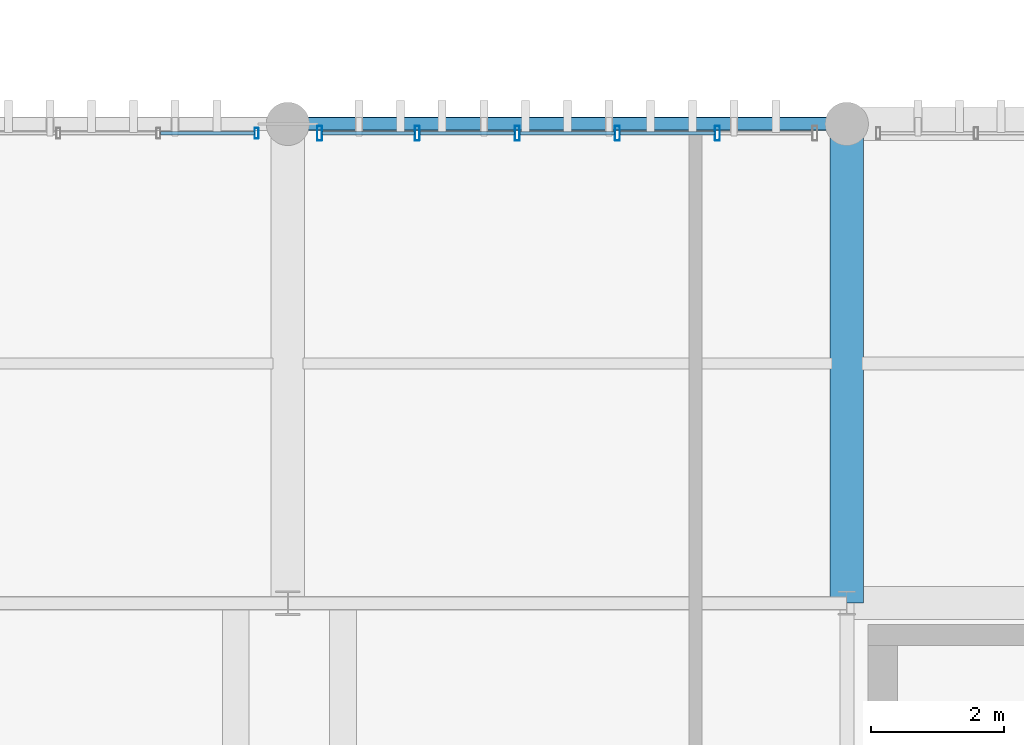
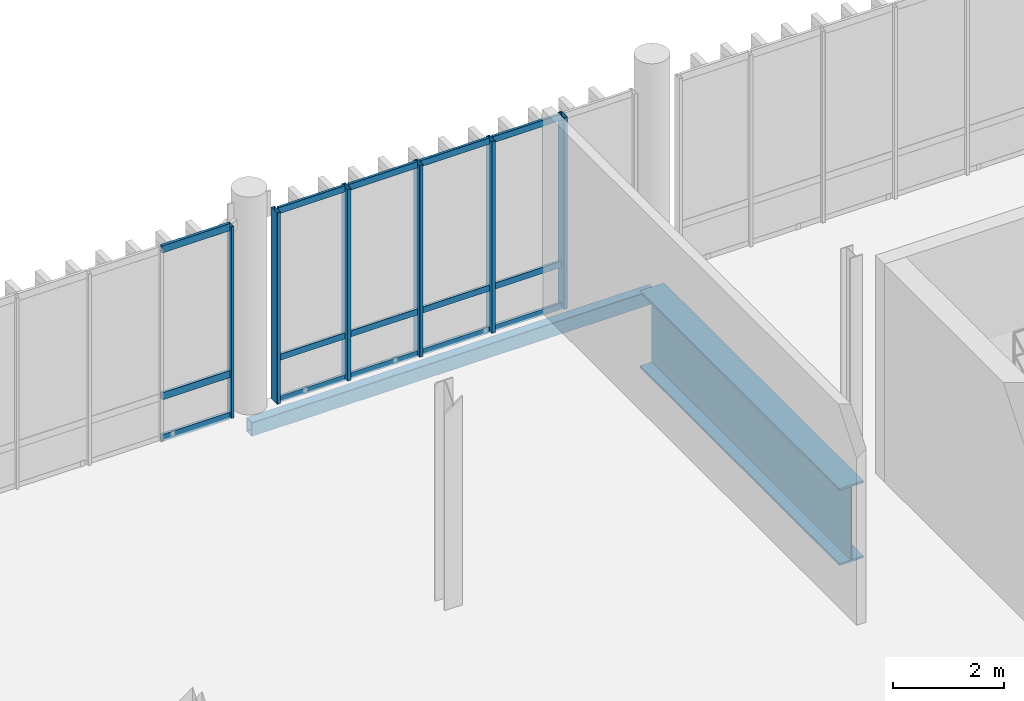
# One storey, part 36 of 86: 21 members, 2 beams, 2 elements without a shape of their own.
"""IFC4 building model written with IfcOpenShell, lengths in metres."""

from ifc_helpers import new_model, si_unit, direction, frame, origin_with_axes, origin_2d_with_axis, place, context, subcontext, project, spatial, hollow_rectangle, i_section, extrude, material, material_profile, profile_set, type_object, element, aggregate, save


model = new_model("IFC4")

# Units and contexts
model_context = context("Model", 3, precision=1e-05, world=origin_with_axes(), true_north=direction((0.0, 1.0)))
body_context = subcontext(model_context, "Body", "Model", "MODEL_VIEW")
ifc_project = project(units=[si_unit("LENGTHUNIT", "METRE"), si_unit("AREAUNIT", "SQUARE_METRE"), si_unit("VOLUMEUNIT", "CUBIC_METRE"), si_unit("PLANEANGLEUNIT", "RADIAN"), si_unit("MASSUNIT", "GRAM", prefix="KILO"), si_unit("THERMODYNAMICTEMPERATUREUNIT", "KELVIN")], contexts=[model_context])

# Site, building, storey
site_placement = place(None, origin_with_axes())
site = spatial("IfcSite", under=ifc_project, at=site_placement, CompositionType="ELEMENT")
building_placement = place(site_placement, origin_with_axes())
building = spatial("IfcBuilding", under=site, at=building_placement, Name="Montbau Bow Law Courts", CompositionType="ELEMENT")
storey_placement = place(building_placement, frame((0.0, 0.0, 29.7), z_axis=(0.0, 0.0, 1.0), x_axis=(1.0, 0.0, 0.0)))
storey = spatial("IfcBuildingStorey", under=building, at=storey_placement, Name="L06", CompositionType="ELEMENT", Elevation=29.7)

# Beams
ifc_material_1 = material(Name="Steel CSA G40.21 Grade 350WT (350 MPa)", Category="steel")
ifc_material_profile_1 = material_profile(ifc_material_1, hollow_rectangle(XDim=0.203, YDim=0.305, WallThickness=0.0127, InnerFilletRadius=0.0254, OuterFilletRadius=0.0127, at=origin_2d_with_axis()), Name="HSS305X203X13", Category="Main", Priority=0)
ifc_profile_set_1 = profile_set([ifc_material_profile_1], Name="Steel CSA G40.21 Grade 350WT (350 MPa)")
beam_type_1 = type_object("IfcBeamType", Name="B-SPN-02", PredefinedType="SPANDREL", material=ifc_profile_set_1)
beam_1_placement = place(None, frame((72.0, 61.8, 29.207), z_axis=(1.0, 0.0, 0.0), x_axis=(0.0, 1.0, 0.0)))
element("IfcBeam", 1, at=beam_1_placement, inside=storey, type_object=beam_type_1, Name="SPN-L06-S1016:bm2_1019", PredefinedType="SPANDREL", context=body_context, shape_type="SweptSolid", body=[
    extrude(hollow_rectangle(XDim=0.203, YDim=0.305, WallThickness=0.0127, InnerFilletRadius=0.0254, OuterFilletRadius=0.0127, at=origin_2d_with_axis()), origin_with_axes(), (0.0, 0.0, 1.0), 8.4),
])
ifc_material_profile_2 = material_profile(ifc_material_1, i_section(OverallWidth=0.5, OverallDepth=1.7, WebThickness=0.02, FlangeThickness=0.045, at=origin_2d_with_axis()), Name="WWF1700X480", Category="Main", Priority=0)
ifc_profile_set_2 = profile_set([ifc_material_profile_2], Name="Steel CSA G40.21 Grade 350WT (350 MPa)")
beam_type_2 = type_object("IfcBeamType", Name="B-TRG-02", PredefinedType="USERDEFINED", material=ifc_profile_set_2)
beam_2_placement = place(None, frame((80.4, 54.6, 28.51), z_axis=(0.0, 1.0, 0.0), x_axis=(-1.0, 0.0, 0.0)))
element("IfcBeam", 2, at=beam_2_placement, inside=storey, type_object=beam_type_2, Name="TRG-L06-S0073:bm2_0076", ObjectType="GIRDER", PredefinedType="USERDEFINED", context=body_context, shape_type="SweptSolid", body=[
    extrude(i_section(OverallWidth=0.5, OverallDepth=1.7, WebThickness=0.02, FlangeThickness=0.045, at=origin_2d_with_axis()), origin_with_axes(), (0.0, 0.0, 1.0), 7.2),
])

# Curtain wall, members
ifc_material_2 = material(Name="Thermally Broken Extruded Aluminium AA 6063-T6", Category="aluminium")
curtain_wall_type = type_object("IfcCurtainWallType", Name="CW-CRM-02", PredefinedType="NOTDEFINED", material=ifc_material_2)
curtain_wall_1_placement = place(None, frame((72.44, 61.66, 29.7), z_axis=(0.0, 0.0, 1.0), x_axis=(1.0, 0.0, 0.0)))
curtain_wall_1 = element("IfcCurtainWall", 3, at=curtain_wall_1_placement, inside=storey, type_object=curtain_wall_type, Name="CW-L06-231:cw_0231", PredefinedType="NOTDEFINED")
ifc_material_profile_3 = material_profile(ifc_material_2, hollow_rectangle(XDim=0.075, YDim=0.22, WallThickness=0.005, InnerFilletRadius=0.01, OuterFilletRadius=0.005, at=origin_2d_with_axis()), Name="CWM-220X75", Category="Main", Priority=0)
ifc_profile_set_3 = profile_set([ifc_material_profile_3], Name="Thermally Broken Extruded Aluminium AA 6063-T6")
member_type_1 = type_object("IfcMemberType", Name="M-MUL-01", PredefinedType="MULLION", material=ifc_profile_set_3)
member_1_placement = place(None, frame((72.477, 61.66, 29.7), z_axis=(0.0, 0.0, 1.0), x_axis=(1.0, 0.0, 0.0)))
member_1 = element("IfcMember", 4, at=member_1_placement, type_object=member_type_1, Name="CW-L06-231-M01:cw_0231_M01", PredefinedType="MULLION", context=body_context, shape_type="SweptSolid", body=[
    extrude(hollow_rectangle(XDim=0.075, YDim=0.22, WallThickness=0.005, InnerFilletRadius=0.01, OuterFilletRadius=0.005, at=origin_2d_with_axis()), origin_with_axes(), (0.0, 0.0, 1.0), 4.22),
])
member_2_placement = place(None, frame((73.944, 61.66, 29.7), z_axis=(0.0, 0.0, 1.0), x_axis=(1.0, 0.0, 0.0)))
member_2 = element("IfcMember", 5, at=member_2_placement, type_object=member_type_1, Name="CW-L06-231-M02:cw_0231_M02", PredefinedType="MULLION", context=body_context, shape_type="SweptSolid", body=[
    extrude(hollow_rectangle(XDim=0.075, YDim=0.22, WallThickness=0.005, InnerFilletRadius=0.01, OuterFilletRadius=0.005, at=origin_2d_with_axis()), origin_with_axes(), (0.0, 0.0, 1.0), 4.22),
])
member_3_placement = place(None, frame((75.448, 61.66, 29.7), z_axis=(0.0, 0.0, 1.0), x_axis=(1.0, 0.0, 0.0)))
member_3 = element("IfcMember", 6, at=member_3_placement, type_object=member_type_1, Name="CW-L06-231-M03:cw_0231_M03", PredefinedType="MULLION", context=body_context, shape_type="SweptSolid", body=[
    extrude(hollow_rectangle(XDim=0.075, YDim=0.22, WallThickness=0.005, InnerFilletRadius=0.01, OuterFilletRadius=0.005, at=origin_2d_with_axis()), origin_with_axes(), (0.0, 0.0, 1.0), 4.22),
])
member_4_placement = place(None, frame((76.952, 61.66, 29.7), z_axis=(0.0, 0.0, 1.0), x_axis=(1.0, 0.0, 0.0)))
member_4 = element("IfcMember", 7, at=member_4_placement, type_object=member_type_1, Name="CW-L06-231-M04:cw_0231_M04", PredefinedType="MULLION", context=body_context, shape_type="SweptSolid", body=[
    extrude(hollow_rectangle(XDim=0.075, YDim=0.22, WallThickness=0.005, InnerFilletRadius=0.01, OuterFilletRadius=0.005, at=origin_2d_with_axis()), origin_with_axes(), (0.0, 0.0, 1.0), 4.22),
])
member_5_placement = place(None, frame((78.456, 61.66, 29.7), z_axis=(0.0, 0.0, 1.0), x_axis=(1.0, 0.0, 0.0)))
member_5 = element("IfcMember", 8, at=member_5_placement, type_object=member_type_1, Name="CW-L06-231-M05:cw_0231_M05", PredefinedType="MULLION", context=body_context, shape_type="SweptSolid", body=[
    extrude(hollow_rectangle(XDim=0.075, YDim=0.22, WallThickness=0.005, InnerFilletRadius=0.01, OuterFilletRadius=0.005, at=origin_2d_with_axis()), origin_with_axes(), (0.0, 0.0, 1.0), 4.22),
])

curtain_wall_2_placement = place(None, frame((64.04, 61.66, 29.7), z_axis=(0.0, 0.0, 1.0), x_axis=(1.0, 0.0, 0.0)))
curtain_wall_2 = element("IfcCurtainWall", 9, at=curtain_wall_2_placement, inside=storey, type_object=curtain_wall_type, Name="CW-L06-230:cw_0230", PredefinedType="NOTDEFINED")
ifc_material_profile_4 = material_profile(ifc_material_2, hollow_rectangle(XDim=0.06, YDim=0.16, WallThickness=0.004, InnerFilletRadius=0.008, OuterFilletRadius=0.004, at=origin_2d_with_axis()), Name="CWM-160X60", Category="Main", Priority=0)
ifc_profile_set_4 = profile_set([ifc_material_profile_4], Name="Thermally Broken Extruded Aluminium AA 6063-T6")
member_type_2 = type_object("IfcMemberType", Name="M-MUL-03", PredefinedType="MULLION", material=ifc_profile_set_4)
member_6_placement = place(None, frame((71.53, 61.66, 29.7), z_axis=(0.0, 0.0, 1.0), x_axis=(1.0, 0.0, 0.0)))
member_6 = element("IfcMember", 10, at=member_6_placement, type_object=member_type_2, Name="CW-L06-230-M06:cw_0230_M06", PredefinedType="MULLION", context=body_context, shape_type="SweptSolid", body=[
    extrude(hollow_rectangle(XDim=0.06, YDim=0.16, WallThickness=0.004, InnerFilletRadius=0.008, OuterFilletRadius=0.004, at=origin_2d_with_axis()), origin_with_axes(), (0.0, 0.0, 1.0), 4.22),
])
ifc_material_profile_5 = material_profile(ifc_material_2, hollow_rectangle(XDim=0.06, YDim=0.16, WallThickness=0.004, InnerFilletRadius=0.008, OuterFilletRadius=0.004, at=origin_2d_with_axis()), Name="CWT-160X60", Category="Main", Priority=0)
ifc_profile_set_5 = profile_set([ifc_material_profile_5], Name="Thermally Broken Extruded Aluminium AA 6063-T6")
member_type_3 = type_object("IfcMemberType", Name="M-TRN-01", PredefinedType="USERDEFINED", material=ifc_profile_set_5)
member_7_placement = place(None, frame((70.088, 61.66, 29.73), z_axis=(1.0, 0.0, 0.0), x_axis=(0.0, 1.0, 0.0)))
member_7 = element("IfcMember", 11, at=member_7_placement, type_object=member_type_3, Name="CW-L06-230-T05-1:cw_0230_T05_1", ObjectType="TRANSOM", PredefinedType="USERDEFINED", context=body_context, shape_type="SweptSolid", body=[
    extrude(hollow_rectangle(XDim=0.06, YDim=0.16, WallThickness=0.004, InnerFilletRadius=0.008, OuterFilletRadius=0.004, at=origin_2d_with_axis()), origin_with_axes(), (0.0, 0.0, 1.0), 1.41),
])
member_8_placement = place(None, frame((70.088, 61.66, 30.65), z_axis=(1.0, 0.0, 0.0), x_axis=(0.0, 1.0, 0.0)))
member_8 = element("IfcMember", 12, at=member_8_placement, type_object=member_type_3, Name="CW-L06-230-T05-2:cw_0230_T05_2", ObjectType="TRANSOM", PredefinedType="USERDEFINED", context=body_context, shape_type="SweptSolid", body=[
    extrude(hollow_rectangle(XDim=0.06, YDim=0.16, WallThickness=0.004, InnerFilletRadius=0.008, OuterFilletRadius=0.004, at=origin_2d_with_axis()), origin_with_axes(), (0.0, 0.0, 1.0), 1.41),
])
member_9_placement = place(None, frame((70.088, 61.66, 33.89), z_axis=(1.0, 0.0, 0.0), x_axis=(0.0, 1.0, 0.0)))
member_9 = element("IfcMember", 13, at=member_9_placement, type_object=member_type_3, Name="CW-L06-230-T05-3:cw_0230_T05_3", ObjectType="TRANSOM", PredefinedType="USERDEFINED", context=body_context, shape_type="SweptSolid", body=[
    extrude(hollow_rectangle(XDim=0.06, YDim=0.16, WallThickness=0.004, InnerFilletRadius=0.008, OuterFilletRadius=0.004, at=origin_2d_with_axis()), origin_with_axes(), (0.0, 0.0, 1.0), 1.41),
])
aggregate(curtain_wall_2, [member_6, member_7, member_8, member_9])

# Member
ifc_material_profile_6 = material_profile(ifc_material_2, hollow_rectangle(XDim=0.055, YDim=0.14, WallThickness=0.004, InnerFilletRadius=0.008, OuterFilletRadius=0.004, at=origin_2d_with_axis()), Name="CWT-140X55", Category="Main", Priority=0)
ifc_profile_set_6 = profile_set([ifc_material_profile_6], Name="Thermally Broken Extruded Aluminium AA 6063-T6")
member_type_4 = type_object("IfcMemberType", Name="M-TRN-02", PredefinedType="USERDEFINED", material=ifc_profile_set_6)
member_10_placement = place(None, frame((72.516, 61.66, 29.727), z_axis=(1.0, 0.0, 0.0), x_axis=(0.0, 1.0, 0.0)))
member_10 = element("IfcMember", 14, at=member_10_placement, type_object=member_type_4, Name="CW-L06-231-T01-1:cw_0231_T01_1", ObjectType="TRANSOM", PredefinedType="USERDEFINED", context=body_context, shape_type="SweptSolid", body=[
    extrude(hollow_rectangle(XDim=0.055, YDim=0.14, WallThickness=0.004, InnerFilletRadius=0.008, OuterFilletRadius=0.004, at=origin_2d_with_axis()), origin_with_axes(), (0.0, 0.0, 1.0), 1.388),
])

member_11_placement = place(None, frame((72.516, 61.66, 30.65), z_axis=(1.0, 0.0, 0.0), x_axis=(0.0, 1.0, 0.0)))
member_11 = element("IfcMember", 15, at=member_11_placement, type_object=member_type_4, Name="CW-L06-231-T01-2:cw_0231_T01_2", ObjectType="TRANSOM", PredefinedType="USERDEFINED", context=body_context, shape_type="SweptSolid", body=[
    extrude(hollow_rectangle(XDim=0.055, YDim=0.14, WallThickness=0.004, InnerFilletRadius=0.008, OuterFilletRadius=0.004, at=origin_2d_with_axis()), origin_with_axes(), (0.0, 0.0, 1.0), 1.388),
])

member_12_placement = place(None, frame((72.516, 61.66, 33.892), z_axis=(1.0, 0.0, 0.0), x_axis=(0.0, 1.0, 0.0)))
member_12 = element("IfcMember", 16, at=member_12_placement, type_object=member_type_4, Name="CW-L06-231-T01-3:cw_0231_T01_3", ObjectType="TRANSOM", PredefinedType="USERDEFINED", context=body_context, shape_type="SweptSolid", body=[
    extrude(hollow_rectangle(XDim=0.055, YDim=0.14, WallThickness=0.004, InnerFilletRadius=0.008, OuterFilletRadius=0.004, at=origin_2d_with_axis()), origin_with_axes(), (0.0, 0.0, 1.0), 1.388),
])

member_13_placement = place(None, frame((73.984, 61.66, 29.727), z_axis=(1.0, 0.0, 0.0), x_axis=(0.0, 1.0, 0.0)))
member_13 = element("IfcMember", 17, at=member_13_placement, type_object=member_type_4, Name="CW-L06-231-T02-1:cw_0231_T02_1", ObjectType="TRANSOM", PredefinedType="USERDEFINED", context=body_context, shape_type="SweptSolid", body=[
    extrude(hollow_rectangle(XDim=0.055, YDim=0.14, WallThickness=0.004, InnerFilletRadius=0.008, OuterFilletRadius=0.004, at=origin_2d_with_axis()), origin_with_axes(), (0.0, 0.0, 1.0), 1.425),
])

member_14_placement = place(None, frame((73.984, 61.66, 30.65), z_axis=(1.0, 0.0, 0.0), x_axis=(0.0, 1.0, 0.0)))
member_14 = element("IfcMember", 18, at=member_14_placement, type_object=member_type_4, Name="CW-L06-231-T02-2:cw_0231_T02_2", ObjectType="TRANSOM", PredefinedType="USERDEFINED", context=body_context, shape_type="SweptSolid", body=[
    extrude(hollow_rectangle(XDim=0.055, YDim=0.14, WallThickness=0.004, InnerFilletRadius=0.008, OuterFilletRadius=0.004, at=origin_2d_with_axis()), origin_with_axes(), (0.0, 0.0, 1.0), 1.425),
])

member_15_placement = place(None, frame((73.984, 61.66, 33.892), z_axis=(1.0, 0.0, 0.0), x_axis=(0.0, 1.0, 0.0)))
member_15 = element("IfcMember", 19, at=member_15_placement, type_object=member_type_4, Name="CW-L06-231-T02-3:cw_0231_T02_3", ObjectType="TRANSOM", PredefinedType="USERDEFINED", context=body_context, shape_type="SweptSolid", body=[
    extrude(hollow_rectangle(XDim=0.055, YDim=0.14, WallThickness=0.004, InnerFilletRadius=0.008, OuterFilletRadius=0.004, at=origin_2d_with_axis()), origin_with_axes(), (0.0, 0.0, 1.0), 1.425),
])

member_16_placement = place(None, frame((75.487, 61.66, 29.727), z_axis=(1.0, 0.0, 0.0), x_axis=(0.0, 1.0, 0.0)))
member_16 = element("IfcMember", 20, at=member_16_placement, type_object=member_type_4, Name="CW-L06-231-T03-1:cw_0231_T03_1", ObjectType="TRANSOM", PredefinedType="USERDEFINED", context=body_context, shape_type="SweptSolid", body=[
    extrude(hollow_rectangle(XDim=0.055, YDim=0.14, WallThickness=0.004, InnerFilletRadius=0.008, OuterFilletRadius=0.004, at=origin_2d_with_axis()), origin_with_axes(), (0.0, 0.0, 1.0), 1.426),
])

member_17_placement = place(None, frame((75.487, 61.66, 30.65), z_axis=(1.0, 0.0, 0.0), x_axis=(0.0, 1.0, 0.0)))
member_17 = element("IfcMember", 21, at=member_17_placement, type_object=member_type_4, Name="CW-L06-231-T03-2:cw_0231_T03_2", ObjectType="TRANSOM", PredefinedType="USERDEFINED", context=body_context, shape_type="SweptSolid", body=[
    extrude(hollow_rectangle(XDim=0.055, YDim=0.14, WallThickness=0.004, InnerFilletRadius=0.008, OuterFilletRadius=0.004, at=origin_2d_with_axis()), origin_with_axes(), (0.0, 0.0, 1.0), 1.426),
])

member_18_placement = place(None, frame((75.487, 61.66, 33.892), z_axis=(1.0, 0.0, 0.0), x_axis=(0.0, 1.0, 0.0)))
member_18 = element("IfcMember", 22, at=member_18_placement, type_object=member_type_4, Name="CW-L06-231-T03-3:cw_0231_T03_3", ObjectType="TRANSOM", PredefinedType="USERDEFINED", context=body_context, shape_type="SweptSolid", body=[
    extrude(hollow_rectangle(XDim=0.055, YDim=0.14, WallThickness=0.004, InnerFilletRadius=0.008, OuterFilletRadius=0.004, at=origin_2d_with_axis()), origin_with_axes(), (0.0, 0.0, 1.0), 1.426),
])

member_19_placement = place(None, frame((76.991, 61.66, 29.727), z_axis=(1.0, 0.0, 0.0), x_axis=(0.0, 1.0, 0.0)))
member_19 = element("IfcMember", 23, at=member_19_placement, type_object=member_type_4, Name="CW-L06-231-T04-1:cw_0231_T04_1", ObjectType="TRANSOM", PredefinedType="USERDEFINED", context=body_context, shape_type="SweptSolid", body=[
    extrude(hollow_rectangle(XDim=0.055, YDim=0.14, WallThickness=0.004, InnerFilletRadius=0.008, OuterFilletRadius=0.004, at=origin_2d_with_axis()), origin_with_axes(), (0.0, 0.0, 1.0), 1.426),
])

member_20_placement = place(None, frame((76.991, 61.66, 30.65), z_axis=(1.0, 0.0, 0.0), x_axis=(0.0, 1.0, 0.0)))
member_20 = element("IfcMember", 24, at=member_20_placement, type_object=member_type_4, Name="CW-L06-231-T04-2:cw_0231_T04_2", ObjectType="TRANSOM", PredefinedType="USERDEFINED", context=body_context, shape_type="SweptSolid", body=[
    extrude(hollow_rectangle(XDim=0.055, YDim=0.14, WallThickness=0.004, InnerFilletRadius=0.008, OuterFilletRadius=0.004, at=origin_2d_with_axis()), origin_with_axes(), (0.0, 0.0, 1.0), 1.426),
])

member_21_placement = place(None, frame((76.991, 61.66, 33.892), z_axis=(1.0, 0.0, 0.0), x_axis=(0.0, 1.0, 0.0)))
member_21 = element("IfcMember", 25, at=member_21_placement, type_object=member_type_4, Name="CW-L06-231-T04-3:cw_0231_T04_3", ObjectType="TRANSOM", PredefinedType="USERDEFINED", context=body_context, shape_type="SweptSolid", body=[
    extrude(hollow_rectangle(XDim=0.055, YDim=0.14, WallThickness=0.004, InnerFilletRadius=0.008, OuterFilletRadius=0.004, at=origin_2d_with_axis()), origin_with_axes(), (0.0, 0.0, 1.0), 1.426),
])

aggregate(curtain_wall_1, [member_1, member_2, member_3, member_4, member_5, member_10, member_11, member_12, member_13, member_14, member_15, member_16, member_17, member_18, member_19, member_20, member_21])

save(model, "model.ifc")
